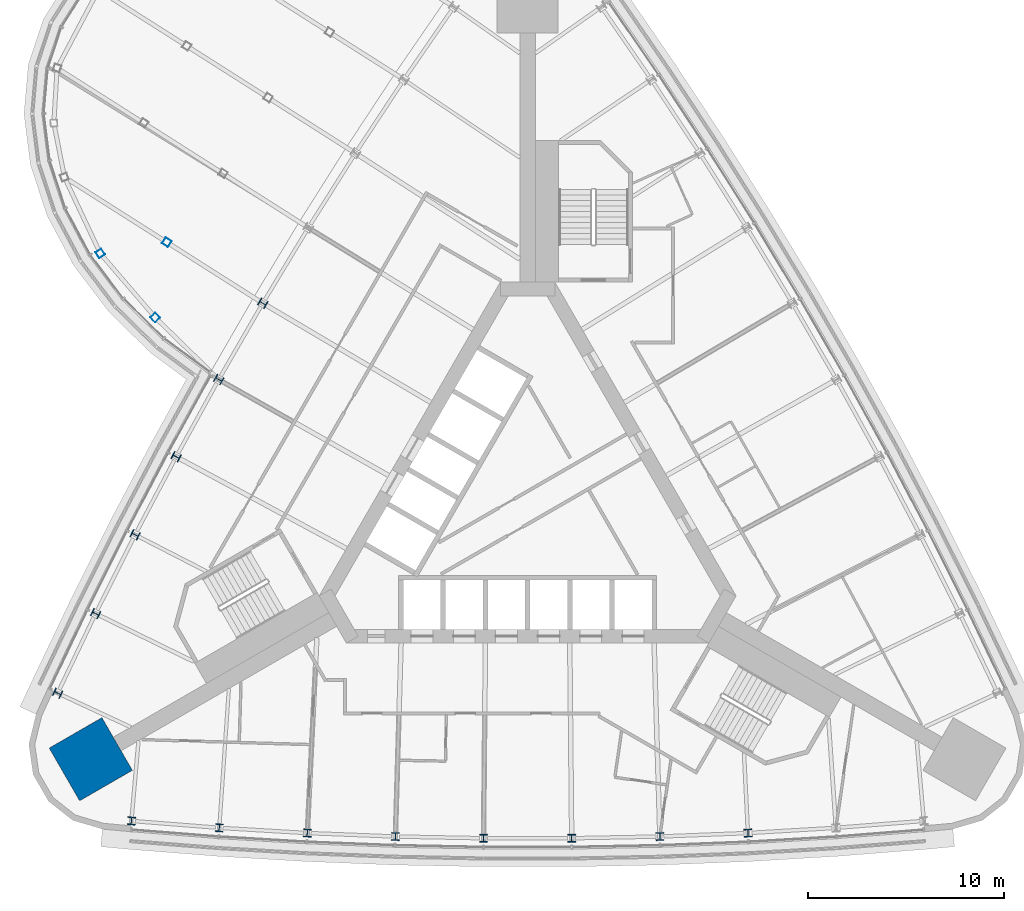
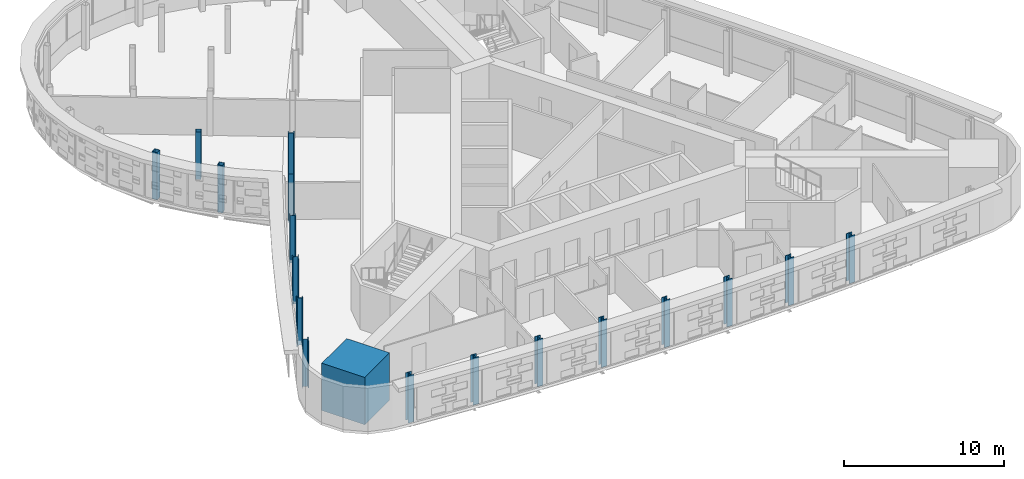
# One storey, part 1 of 17: 18 columns.
"""IFC4 building model written with IfcOpenShell, lengths in metres."""

from ifc_helpers import new_model, si_unit, direction, frame, origin, origin_2d, place, context, subcontext, project, spatial, rectangle, hollow_rectangle, i_section, extrude, material, material_profile, profile_set, type_object, element, save


model = new_model("IFC4")

# Units and contexts
model_context = context("Model", 3, precision=1e-05, world=origin(), true_north=direction((0.0, 1.0)))
body_context = subcontext(model_context, "Body", "Model", "MODEL_VIEW")
ifc_project = project(units=[si_unit("LENGTHUNIT", "METRE"), si_unit("AREAUNIT", "SQUARE_METRE"), si_unit("VOLUMEUNIT", "CUBIC_METRE"), si_unit("PLANEANGLEUNIT", "RADIAN"), si_unit("MASSUNIT", "GRAM", prefix="KILO")], contexts=[model_context])

# Site, building, storey
site_placement = place(None, origin())
site = spatial("IfcSite", under=ifc_project, at=site_placement, CompositionType="ELEMENT")
building_placement = place(site_placement, origin())
building = spatial("IfcBuilding", under=site, at=building_placement, Name="Noor Cloister Tower", CompositionType="ELEMENT")
storey_placement = place(building_placement, frame((0.0, 0.0, 95.10009765625)))
storey = spatial("IfcBuildingStorey", under=building, at=storey_placement, Name="L24", CompositionType="ELEMENT", Elevation=95.10009765625)

# Columns
ifc_material_1 = material(Name="Steel ASTM A992 Gr 50", Category="steel")
ifc_material_profile_1 = material_profile(ifc_material_1, i_section(OverallWidth=0.40087890625, OverallDepth=0.39892578125, WebThickness=0.02490234375, FlangeThickness=0.03955078125, FilletRadius=0.015380859375, at=origin_2d()), Name="W360x314")
ifc_profile_set_1 = profile_set([ifc_material_profile_1], Name="Steel ASTM A992 Gr 50")
column_type_1 = type_object("IfcColumnType", Name="Column W360x314", PredefinedType="COLUMN", material=ifc_profile_set_1)
for number, where, z_axis, x_axis, name in (
    (1, (-13.484375, 10.376953125, -0.2001953125), (0.0, 0.0, 1.0), (-0.508498755365, -0.861062724656, 0.0), "Column NW 05 L24"),
    (2, (-15.72900390625, 6.489501953125, -0.2001953125), (0.0, 0.0, 1.0), (-0.491452816121, -0.870904202267, 0.0), "Column NW 06 L24"),
    (3, (-17.896728515625, 2.558349609375, -0.2001953125), (0.0, 0.0, 1.0), (-0.474216478854, -0.880408275281, 0.0), "Column NW 07 L24"),
    (4, (-19.986328125, -1.414794921875, -0.2001953125), (0.0, 0.0, 1.0), (-0.456796421257, -0.889571261635, 0.0), "Column NW 08 L24"),
    (5, (-21.99755859375, -5.427978515625, -0.2001953125), (0.0, 0.0, 1.0), (-0.439199392158, -0.898389611432, 0.0), "Column NW 09 L24"),
    (6, (-23.929443359375, -9.480224609375, -0.2001953125), (0.0, 0.0, 1.0), (-0.421432208989, -0.906859908269, 0.0), "Column NW 10 L24"),
    (7, (-20.1748046875, -15.9833984375, -0.2001953125), (0.0, 0.0, 1.0), (0.99607982273, -0.088458955177, 0.0), "Column S 01 L24"),
    (8, (-15.69970703125, -16.33642578125, -0.2001953125), (0.0, 0.0, 1.0), (0.997627922075, -0.06883697478, 0.0), "Column S 02 L24"),
    (9, (-11.218505859375, -16.601318359375, -0.2001953125), (0.0, 0.0, 1.0), (0.998789521681, -0.049188325651, 0.0), "Column S 03 L24"),
    (10, (-6.732666015625, -16.778076171875, -0.2001953125), (0.0, 0.0, 1.0), (0.999564171522, -0.02952062006, 0.0), "Column S 04 L24"),
    (11, (-2.24462890625, -16.866455078125, -0.2001953125), (0.0, 0.0, 1.0), (0.999951571487, -0.009841477611, 0.0), "Column S 05 L24"),
    (12, (2.24462890625, -16.866455078125, -0.2001953125), (0.0, 0.0, 1.0), (0.999951571487, 0.009841477611, 0.0), "Column S 06 L24"),
    (13, (6.732666015625, -16.778076171875, -0.2001953125), (0.0, 0.0, 1.0), (0.999564171522, 0.02952062006, 0.0), "Column S 07 L24"),
    (14, (11.218505859375, -16.601318359375, -0.2001953125), (0.0, 0.0, 1.0), (0.998789521681, 0.049188325651, 0.0), "Column S 08 L24"),
):
    element("IfcColumn", number, at=place(storey_placement, frame(where, z_axis=z_axis, x_axis=x_axis)), inside=storey, type_object=column_type_1, Name=name, PredefinedType="COLUMN", context=body_context, shape_type="SweptSolid", body=[
        extrude(i_section(OverallWidth=0.40087890625, OverallDepth=0.39892578125, WebThickness=0.02490234375, FlangeThickness=0.03955078125, FilletRadius=0.015380859375, at=origin_2d()), origin(), (0.0, 0.0, 1.0), 3.60009765625),
    ])
ifc_material_2 = material(Name="Concrete C80/95", Category="concrete")
ifc_material_profile_2 = material_profile(ifc_material_2, rectangle(XDim=3.10009765625, YDim=3.10009765625, at=origin_2d()), Name="RC 3100x3100")
ifc_profile_set_2 = profile_set([ifc_material_profile_2], Name="Concrete C80/95")
column_type_2 = type_object("IfcColumnType", Name="Corner pier 3100 x 3100 C80/95", PredefinedType="COLUMN", material=ifc_profile_set_2)
column_placement = place(storey_placement, frame((-22.242919921875, -12.842041015625, -0.2001953125), z_axis=(0.0, 0.0, 1.0), x_axis=(-0.866025403784, -0.5, 0.0)))
element("IfcColumn", 15, at=column_placement, inside=storey, type_object=column_type_2, Name="Corner pier SW L24", PredefinedType="COLUMN", context=body_context, shape_type="SweptSolid", body=[
    extrude(rectangle(XDim=3.10009765625, YDim=3.10009765625, at=origin_2d()), origin(), (0.0, 0.0, 1.0), 3.60009765625),
])
ifc_material_3 = material(Name="Steel ASTM A500 Gr C", Category="steel")
ifc_material_profile_3 = material_profile(ifc_material_3, hollow_rectangle(XDim=0.35595703125, YDim=0.35595703125, WallThickness=0.0126953125, at=origin_2d()), Name="HSS355.6x355.6x12.7")
ifc_profile_set_3 = profile_set([ifc_material_profile_3], Name="Steel ASTM A500 Gr C")
column_type_3 = type_object("IfcColumnType", Name="Pod post HSS355.6x355.6x12.7", PredefinedType="COLUMN", material=ifc_profile_set_3)
for number, where, z_axis, x_axis, name in (
    (16, (-18.37158203125, 13.482666015625, -0.2001953125), (0.0, 0.0, 1.0), (-0.843995500683, 0.536350253871, 0.0), "Pod post 2 L24 line 5 node 1"),
    (17, (-21.759033203125, 12.91259765625, -0.2001953125), (0.0, 0.0, 1.0), (0.543433781769, -0.839452038435, 0.0), "Pod post 2 L24 ring 10"),
    (18, (-18.95947265625, 9.65087890625, -0.2001953125), (0.0, 0.0, 1.0), (0.683681183545, -0.729780815908, 0.0), "Pod post 2 L24 ring 11"),
):
    element("IfcColumn", number, at=place(storey_placement, frame(where, z_axis=z_axis, x_axis=x_axis)), inside=storey, type_object=column_type_3, Name=name, PredefinedType="COLUMN", context=body_context, shape_type="SweptSolid", body=[
        extrude(hollow_rectangle(XDim=0.35595703125, YDim=0.35595703125, WallThickness=0.0126953125, at=origin_2d()), origin(), (0.0, 0.0, 1.0), 3.60009765625),
    ])

save(model, "model.ifc")
